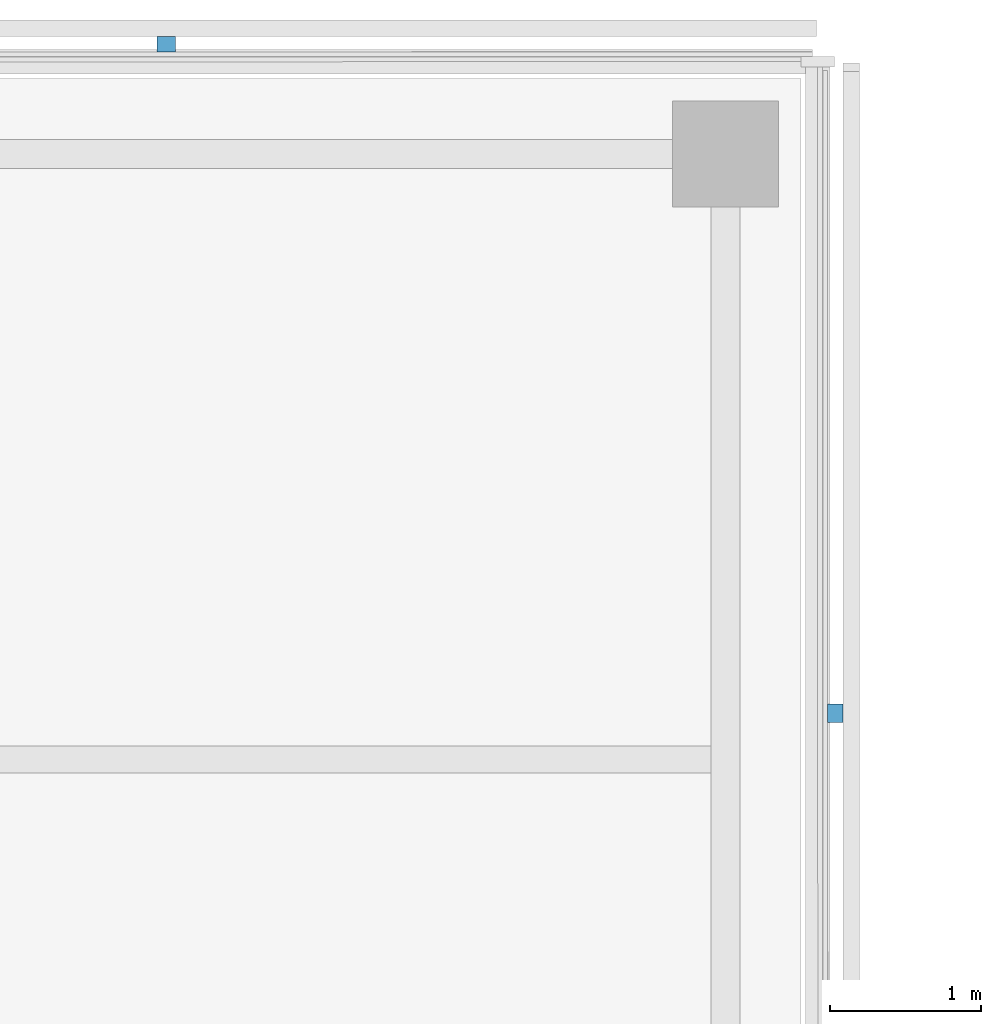
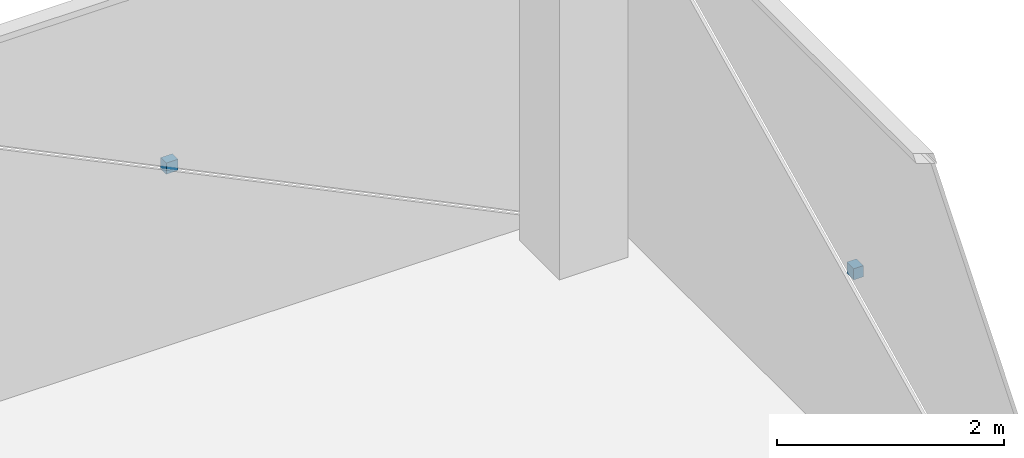
# One storey, part 20 of 22: 2 discrete accessories.
"""IFC4 building model written with IfcOpenShell, lengths in metres."""

from ifc_helpers import new_model, si_unit, direction, frame, origin, origin_2d, place, context, subcontext, project, spatial, rectangle, extrude, material, type_object, element, save


model = new_model("IFC4")

# Units and contexts
model_context = context("Model", 3, precision=1e-05, world=origin(), true_north=direction((0.0, 1.0)))
body_context = subcontext(model_context, "Body", "Model", "MODEL_VIEW")
ifc_project = project(units=[si_unit("LENGTHUNIT", "METRE"), si_unit("AREAUNIT", "SQUARE_METRE"), si_unit("VOLUMEUNIT", "CUBIC_METRE"), si_unit("PLANEANGLEUNIT", "RADIAN"), si_unit("MASSUNIT", "GRAM", prefix="KILO")], contexts=[model_context])

# Site, building, storey
site_placement = place(None, origin())
site = spatial("IfcSite", under=ifc_project, at=site_placement, CompositionType="ELEMENT")
building_placement = place(site_placement, origin())
building = spatial("IfcBuilding", under=site, at=building_placement, Name="Crosswind Convention Tower", CompositionType="ELEMENT")
storey_placement = place(building_placement, frame((0.0, 0.0, 133.699951171875)))
storey = spatial("IfcBuildingStorey", under=building, at=storey_placement, Name="L27", CompositionType="ELEMENT", Elevation=133.699951171875)

# Discrete accessories
ifc_material = material(Name="Stainless steel", Category="steel")
discrete_accessory_type = type_object("IfcDiscreteAccessoryType", Name="BAGUETTE BRACKET BK3", PredefinedType="BRACKET", material=ifc_material)
for number, where, z_axis, x_axis, name in (
    (1, (137.72607421875, 124.304931640625, 1.705078125), (0.0, 0.0, 1.0), (0.0, 1.0, 0.0), "BK3 baguette bracket"),
    (2, (133.304931640625, 128.72607421875, 1.705078125), (0.0, 0.0, 1.0), (-1.0, 0.0, 0.0), "BK3 baguette bracket"),
):
    element("IfcDiscreteAccessory", number, at=place(storey_placement, frame(where, z_axis=z_axis, x_axis=x_axis)), inside=storey, type_object=discrete_accessory_type, Name=name, PredefinedType="BRACKET", context=body_context, shape_type="SweptSolid", body=[
        extrude(rectangle(XDim=0.1201171875, YDim=0.10009765625, at=origin_2d()), origin(), (0.0, 0.0, 1.0), 0.1201171875),
    ])

save(model, "model.ifc")
